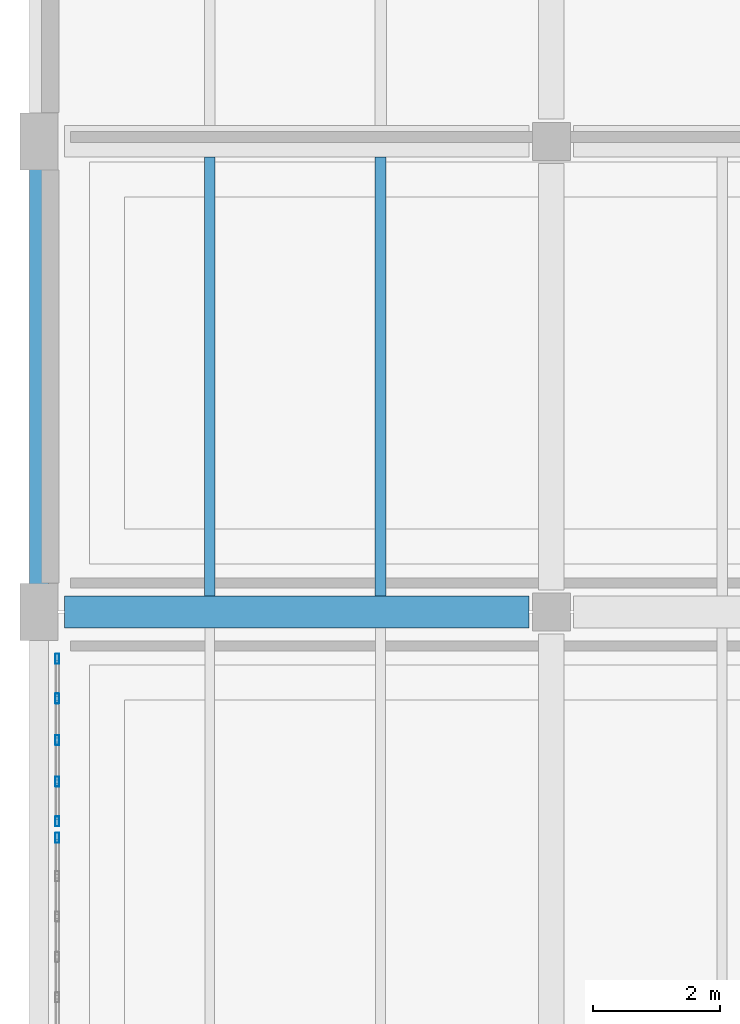
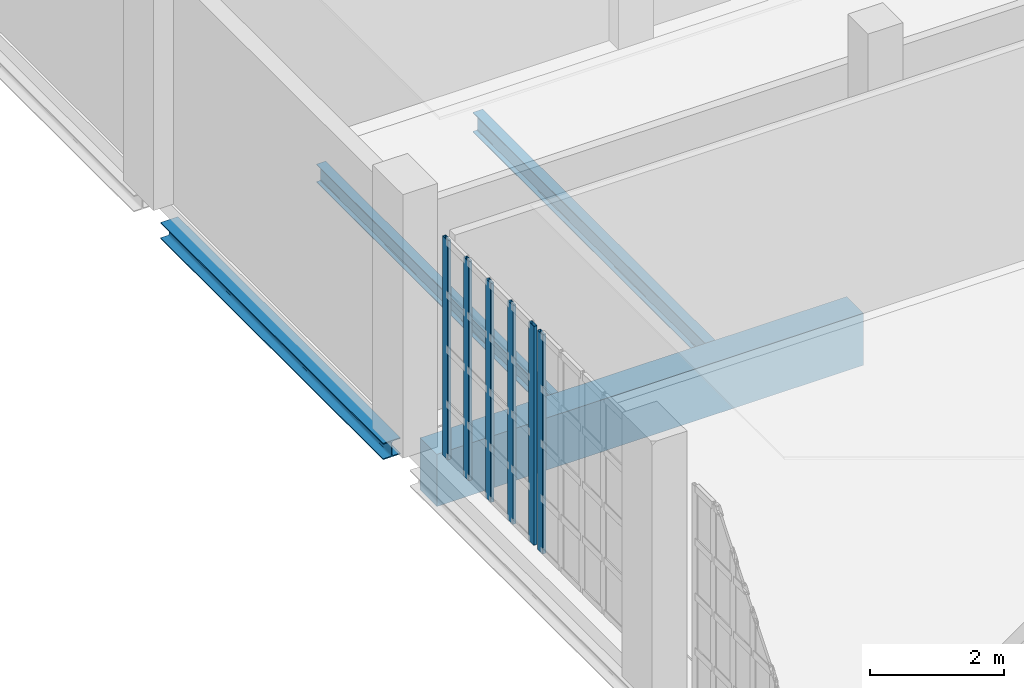
# One storey, part 20 of 104: 6 members, 4 beams, 2 elements without a shape of their own.
"""IFC4 building model written with IfcOpenShell, lengths in metres."""

import ifcopenshell
import ifcopenshell.guid

model = None  # the IFC model being written
_history = None  # IfcOwnerHistory: only IFC2X3 demands one
_inside = {}  # id of a spatial element -> (the spatial element, [elements in it])
_under = {}  # id of a project, library or spatial element -> (it, [spatial elements below it])
_declared = {}  # id of a project -> (the project, [libraries it declares])
_typed = {}  # id of a type object -> (the type object, [elements of that type])
_made_of = {}  # id of a material, layer set ... -> (it, [elements and type objects made of it])


def new_model(schema):
    """Start an empty IFC model of exactly this schema.

    Asked for "IFC4X3", IfcOpenShell would pick the latest addendum, in which some entities
    have other attributes; the version numbers below select the first issue.
    IFC2X3 requires an IfcOwnerHistory on every rooted entity: one is made here for all.
    """
    global model, _history
    if schema == "IFC4X3":
        model = ifcopenshell.file(schema_version=(4, 3, 0, 0))
    else:
        model = ifcopenshell.file(schema=schema)
    _inside.clear()
    _under.clear()
    _declared.clear()
    _typed.clear()
    _made_of.clear()
    _history = None
    if model.schema == "IFC2X3":
        org = make("IfcOrganization", Name="unknown")
        user = make(
            "IfcPersonAndOrganization",
            ThePerson=make("IfcPerson", FamilyName="unknown"),
            TheOrganization=org,
        )
        app = make(
            "IfcApplication",
            ApplicationDeveloper=org,
            Version="unknown",
            ApplicationFullName="unknown",
            ApplicationIdentifier="unknown",
        )
        _history = make(
            "IfcOwnerHistory",
            OwningUser=user,
            OwningApplication=app,
            ChangeAction="ADDED",
            CreationDate=0,
        )
    return model


def make(cls, **values):
    """One entity of the class cls with the attributes given. An attribute that is None is left unset."""
    return model.create_entity(
        cls, **{name: value for name, value in values.items() if value is not None}
    )


def rooted(cls, **values):
    """An entity with a GlobalId (a new one), such as an element, a storey or a relation."""
    return make(cls, GlobalId=ifcopenshell.guid.new(), OwnerHistory=_history, **values)


def si_unit(unit_type, name, prefix=None):
    """IfcSIUnit, for example si_unit("LENGTHUNIT", "METRE", prefix="MILLI")."""
    return make("IfcSIUnit", UnitType=unit_type, Prefix=prefix, Name=name)


def assignment(units):
    """IfcUnitAssignment: the units of a project."""
    return None if units is None else make("IfcUnitAssignment", Units=units)


def point(xyz):
    """IfcCartesianPoint."""
    return None if xyz is None else make("IfcCartesianPoint", Coordinates=xyz)


def direction(xyz):
    """IfcDirection."""
    return None if xyz is None else make("IfcDirection", DirectionRatios=xyz)


def frame(location, z_axis=None, x_axis=None):
    """IfcAxis2Placement3D, a coordinate frame: its origin and axes. An axis left out is left unset."""
    return make(
        "IfcAxis2Placement3D",
        Location=point(location),
        Axis=direction(z_axis),
        RefDirection=direction(x_axis),
    )


def frame_2d(location, x_axis=None):
    """IfcAxis2Placement2D, a coordinate frame in the plane: its origin and x axis."""
    return make(
        "IfcAxis2Placement2D", Location=point(location), RefDirection=direction(x_axis)
    )


def origin():
    """The frame at (0, 0, 0) with its axes left unset."""
    return frame((0.0, 0.0, 0.0))


def origin_2d():
    """The frame at (0, 0) in the plane with its x axis left unset."""
    return frame_2d((0.0, 0.0))


def place(relative_to, where):
    """IfcLocalPlacement: puts the frame where relative to a parent placement (None: the world)."""
    return make(
        "IfcLocalPlacement", PlacementRelTo=relative_to, RelativePlacement=where
    )


def context(
    kind, dimensions, precision=None, world=None, true_north=None, identifier=None
):
    """IfcGeometricRepresentationContext, for example the 3D "Model" context."""
    return make(
        "IfcGeometricRepresentationContext",
        ContextIdentifier=identifier,
        ContextType=kind,
        CoordinateSpaceDimension=dimensions,
        Precision=precision,
        WorldCoordinateSystem=world,
        TrueNorth=true_north,
    )


def subcontext(parent, identifier, kind, view, scale=None):
    """IfcGeometricRepresentationSubContext, for example "Body" below "Model"."""
    return make(
        "IfcGeometricRepresentationSubContext",
        ContextIdentifier=identifier,
        ContextType=kind,
        ParentContext=parent,
        TargetScale=scale,
        TargetView=view,
    )


def project(units=None, contexts=None):
    """IfcProject with its units and contexts."""
    return rooted(
        "IfcProject",
        Name="project",
        RepresentationContexts=contexts,
        UnitsInContext=assignment(units),
    )


def spatial(cls, under=None, at=None, **own):
    """A site, building, storey or space (cls), placed at a placement, below another one or the project."""
    s = rooted(cls, ObjectPlacement=at, **own)
    if under is not None:
        _under.setdefault(under.id(), (under, []))[1].append(s)
    return s


def profile(cls, at=None, kind="AREA", **sizes):
    """A parametric profile (cls). Its sizes go by their IFC names, for example OverallWidth=200.0."""
    return make(cls, ProfileType=kind, Position=at, **sizes)


def rectangle(**sizes):
    """IfcRectangleProfileDef."""
    return profile("IfcRectangleProfileDef", **sizes)


def hollow_rectangle(**sizes):
    """IfcRectangleHollowProfileDef."""
    return profile("IfcRectangleHollowProfileDef", **sizes)


def i_section(**sizes):
    """IfcIShapeProfileDef."""
    return profile("IfcIShapeProfileDef", **sizes)


def extrude(swept, where, along, depth):
    """IfcExtrudedAreaSolid: the profile swept, set in the frame where, extruded along a direction by depth."""
    return make(
        "IfcExtrudedAreaSolid",
        SweptArea=swept,
        Position=where,
        ExtrudedDirection=direction(along),
        Depth=depth,
    )


def shape(context_of_items, identifier, shape_type, items):
    """IfcShapeRepresentation: the items that make up one representation, for example the "Body"."""
    return make(
        "IfcShapeRepresentation",
        ContextOfItems=context_of_items,
        RepresentationIdentifier=identifier,
        RepresentationType=shape_type,
        Items=items,
    )


def material(Name=None, Category=None):
    """IfcMaterial."""
    return make("IfcMaterial", Name=Name, Category=Category)


def material_profile(
    of_material, cross_section, Name=None, Category=None, Priority=None
):
    """IfcMaterialProfile: a cross section and its material."""
    return make(
        "IfcMaterialProfile",
        Name=Name,
        Material=of_material,
        Profile=cross_section,
        Priority=Priority,
        Category=Category,
    )


def profile_set(profiles, Name=None, composite=None):
    """IfcMaterialProfileSet."""
    return make(
        "IfcMaterialProfileSet",
        Name=Name,
        MaterialProfiles=profiles,
        CompositeProfile=composite,
    )


def made_of(thing, what):
    """Note that an element or type object is made of a material, layer set ...; save() writes the relation."""
    if what is not None:
        _made_of.setdefault(what.id(), (what, []))[1].append(thing)
    return thing


def type_object(cls, material=None, **own):
    """A type object (cls), such as IfcWallType, which elements share."""
    return made_of(rooted(cls, **own), material)


def element(
    cls,
    number,
    at=None,
    inside=None,
    cuts=None,
    type_object=None,
    material=None,
    context=None,
    identifier="Body",
    shape_type=None,
    held_by="IfcProductDefinitionShape",
    body=None,
    shapes=None,
    **own,
):
    """One element of the class cls, such as IfcWall. Its Tag is "e" and its number.

    at: its placement. inside: the storey or other place that contains it. cuts: it is an
    opening in that element (IfcRelVoidsElement). A single representation is given by context,
    identifier, shape_type and body (its items); several are given by shapes. held_by: the class
    of the entity that holds the representations. save() writes the other relations.
    """
    e = rooted(cls, Tag="e%d" % number, ObjectPlacement=at, **own)
    if body is not None:
        shapes = [shape(context, identifier, shape_type, body)]
    if shapes is not None:
        e.Representation = make(held_by, Representations=shapes)
    if inside is not None:
        _inside.setdefault(inside.id(), (inside, []))[1].append(e)
    if cuts is not None:
        rooted(
            "IfcRelVoidsElement", RelatingBuildingElement=cuts, RelatedOpeningElement=e
        )
    if type_object is not None:
        _typed.setdefault(type_object.id(), (type_object, []))[1].append(e)
    return made_of(e, material)


def aggregate(whole, parts):
    """IfcRelAggregates: a whole, such as a stair, and the parts it consists of."""
    return rooted("IfcRelAggregates", RelatingObject=whole, RelatedObjects=parts)


def save(model, path):
    """Write the relations noted so far, then the file.

    IfcRelAggregates (storeys below a building ...), IfcRelContainedInSpatialStructure (elements
    in a storey), IfcRelDefinesByType, IfcRelAssociatesMaterial and IfcRelDeclares: one each for
    every whole, place, type object, material and project.
    """
    for whole, parts in _under.values():
        aggregate(whole, parts)
    for where, things in _inside.values():
        rooted(
            "IfcRelContainedInSpatialStructure",
            RelatedElements=things,
            RelatingStructure=where,
        )
    for kind, things in _typed.values():
        rooted("IfcRelDefinesByType", RelatedObjects=things, RelatingType=kind)
    for what, things in _made_of.values():
        rooted("IfcRelAssociatesMaterial", RelatedObjects=things, RelatingMaterial=what)
    for by, libraries in _declared.values():
        rooted("IfcRelDeclares", RelatingContext=by, RelatedDefinitions=libraries)
    model.write(path)


model = new_model("IFC4")

# Units and contexts
model_context = context("Model", 3, precision=1e-05, world=origin(), true_north=direction((0.0, 1.0)))
body_context = subcontext(model_context, "Body", "Model", "MODEL_VIEW")
ifc_project = project(units=[si_unit("LENGTHUNIT", "METRE"), si_unit("AREAUNIT", "SQUARE_METRE"), si_unit("VOLUMEUNIT", "CUBIC_METRE"), si_unit("PLANEANGLEUNIT", "RADIAN"), si_unit("MASSUNIT", "GRAM", prefix="KILO")], contexts=[model_context])

# Site, building, storey
site_placement = place(None, origin())
site = spatial("IfcSite", under=ifc_project, at=site_placement, CompositionType="ELEMENT")
building_placement = place(site_placement, origin())
building = spatial("IfcBuilding", under=site, at=building_placement, Name="Kaelora Sail Theatre", CompositionType="ELEMENT")
storey_placement = place(building_placement, frame((0.0, 0.0, 5.39990234375)))
storey = spatial("IfcBuildingStorey", under=building, at=storey_placement, Name="L01", CompositionType="ELEMENT", Elevation=5.39990234375)

# Curtain wall, member
ifc_material_1 = material(Name="Anodised aluminium and solar-control low-E IGU", Category="aluminium")
curtain_wall_type = type_object("IfcCurtainWallType", Name="ARC-CW-CW-PROW", PredefinedType="NOTDEFINED", material=ifc_material_1)
curtain_wall_1_placement = place(storey_placement, origin())
curtain_wall_1 = element("IfcCurtainWall", 1, at=curtain_wall_1_placement, inside=storey, type_object=curtain_wall_type, Name="Glazed Colonnade/Courtyard Curtain Wall FW1-W-L01-03", PredefinedType="NOTDEFINED")
ifc_material_2 = material(Name="Anodised aluminium 6063-T6", Category="aluminium")
ifc_material_profile_1 = material_profile(ifc_material_2, hollow_rectangle(XDim=0.06005859375, YDim=0.159912109375, WallThickness=0.00390625, InnerFilletRadius=0.00390625, OuterFilletRadius=0.008056640625, at=origin_2d()), Name="ALU-MULL 60x160x4")
ifc_profile_set_1 = profile_set([ifc_material_profile_1], Name="Anodised aluminium 6063-T6")
member_type = type_object("IfcMemberType", Name="ARC-MEM-ML-160", PredefinedType="MULLION", material=ifc_profile_set_1)
member_1_placement = place(storey_placement, frame((1.7900390625, 79.77001953125, 0.0), z_axis=(0.0, 0.0, 1.0), x_axis=(-1.0, 0.0, 0.0)))
member_1 = element("IfcMember", 2, at=member_1_placement, type_object=member_type, Name="CW-PROW mullion 6", PredefinedType="MULLION", context=body_context, shape_type="SweptSolid", body=[
    extrude(hollow_rectangle(XDim=0.06005859375, YDim=0.159912109375, WallThickness=0.00390625, InnerFilletRadius=0.00390625, OuterFilletRadius=0.008056640625, at=origin_2d()), origin(), (0.0, 0.0, 1.0), 3.987060546875),
])
aggregate(curtain_wall_1, [member_1])

# Curtain wall, members
curtain_wall_2_placement = place(storey_placement, origin())
curtain_wall_2 = element("IfcCurtainWall", 3, at=curtain_wall_2_placement, inside=storey, type_object=curtain_wall_type, Name="Glazed Colonnade/Courtyard Curtain Wall FW1-W-L01-04", PredefinedType="NOTDEFINED")
member_2_placement = place(storey_placement, frame((1.7900390625, 80.030029296875, 0.0), z_axis=(0.0, 0.0, 1.0), x_axis=(-1.0, 0.0, 0.0)))
member_2 = element("IfcMember", 4, at=member_2_placement, type_object=member_type, Name="CW-PROW mullion 1", PredefinedType="MULLION", context=body_context, shape_type="SweptSolid", body=[
    extrude(hollow_rectangle(XDim=0.06005859375, YDim=0.159912109375, WallThickness=0.00390625, InnerFilletRadius=0.00390625, OuterFilletRadius=0.008056640625, at=origin_2d()), origin(), (0.0, 0.0, 1.0), 3.987060546875),
])
member_3_placement = place(storey_placement, frame((1.7900390625, 80.657470703125, 0.0), z_axis=(0.0, 0.0, 1.0), x_axis=(-1.0, 0.0, 0.0)))
member_3 = element("IfcMember", 5, at=member_3_placement, type_object=member_type, Name="CW-PROW mullion 2", PredefinedType="MULLION", context=body_context, shape_type="SweptSolid", body=[
    extrude(hollow_rectangle(XDim=0.06005859375, YDim=0.159912109375, WallThickness=0.00390625, InnerFilletRadius=0.00390625, OuterFilletRadius=0.008056640625, at=origin_2d()), origin(), (0.0, 0.0, 1.0), 3.987060546875),
])
member_4_placement = place(storey_placement, frame((1.7900390625, 81.31494140625, 0.0), z_axis=(0.0, 0.0, 1.0), x_axis=(-1.0, 0.0, 0.0)))
member_4 = element("IfcMember", 6, at=member_4_placement, type_object=member_type, Name="CW-PROW mullion 3", PredefinedType="MULLION", context=body_context, shape_type="SweptSolid", body=[
    extrude(hollow_rectangle(XDim=0.06005859375, YDim=0.159912109375, WallThickness=0.00390625, InnerFilletRadius=0.00390625, OuterFilletRadius=0.008056640625, at=origin_2d()), origin(), (0.0, 0.0, 1.0), 3.987060546875),
])
member_5_placement = place(storey_placement, frame((1.7900390625, 81.972412109375, 0.0), z_axis=(0.0, 0.0, 1.0), x_axis=(-1.0, 0.0, 0.0)))
member_5 = element("IfcMember", 7, at=member_5_placement, type_object=member_type, Name="CW-PROW mullion 4", PredefinedType="MULLION", context=body_context, shape_type="SweptSolid", body=[
    extrude(hollow_rectangle(XDim=0.06005859375, YDim=0.159912109375, WallThickness=0.00390625, InnerFilletRadius=0.00390625, OuterFilletRadius=0.008056640625, at=origin_2d()), origin(), (0.0, 0.0, 1.0), 3.987060546875),
])
member_6_placement = place(storey_placement, frame((1.7900390625, 82.60009765625, 0.0), z_axis=(0.0, 0.0, 1.0), x_axis=(-1.0, 0.0, 0.0)))
member_6 = element("IfcMember", 8, at=member_6_placement, type_object=member_type, Name="CW-PROW mullion 5", PredefinedType="MULLION", context=body_context, shape_type="SweptSolid", body=[
    extrude(hollow_rectangle(XDim=0.06005859375, YDim=0.159912109375, WallThickness=0.00390625, InnerFilletRadius=0.00390625, OuterFilletRadius=0.008056640625, at=origin_2d()), origin(), (0.0, 0.0, 1.0), 3.987060546875),
])
aggregate(curtain_wall_2, [member_2, member_3, member_4, member_5, member_6])

# Beams
ifc_material_3 = material(Name="Concrete C45/55", Category="concrete")
ifc_material_profile_2 = material_profile(ifc_material_3, rectangle(XDim=0.5, YDim=0.949951171875, at=origin_2d()), Name="RC-GRD 500x950")
ifc_profile_set_2 = profile_set([ifc_material_profile_2], Name="Concrete C45/55")
beam_type_1 = type_object("IfcBeamType", Name="STR-BM-GR-RC5095", PredefinedType="T_BEAM", material=ifc_profile_set_2)
beam_1_placement = place(storey_placement, frame((1.89990234375, 83.340087890625, -0.77001953125), z_axis=(1.0, 0.0, 0.0), x_axis=(0.0, 1.0, 0.0)))
element("IfcBeam", 9, at=beam_1_placement, inside=storey, type_object=beam_type_1, Name="Primary beam L 1-2 (L01)", PredefinedType="T_BEAM", context=body_context, shape_type="SweptSolid", body=[
    extrude(rectangle(XDim=0.5, YDim=0.949951171875, at=origin_2d()), origin(), (0.0, 0.0, 1.0), 7.35009765625),
])
ifc_material_4 = material(Name="Steel S355", Category="steel")
ifc_material_profile_3 = material_profile(ifc_material_4, i_section(OverallWidth=0.159912109375, OverallDepth=0.330078125, WebThickness=0.007568359375, FlangeThickness=0.011474609375, FilletRadius=0.01806640625, at=origin_2d()), Name="IPE 330")
ifc_profile_set_3 = profile_set([ifc_material_profile_3], Name="Steel S355")
beam_type_2 = type_object("IfcBeamType", Name="STR-BM-JS-IPE330", PredefinedType="JOIST", material=ifc_profile_set_3)
beam_2_placement = place(storey_placement, frame((4.199951171875, 83.590087890625, -0.4599609375), z_axis=(0.0, 1.0, 0.0), x_axis=(-1.0, 0.0, 0.0)))
element("IfcBeam", 10, at=beam_2_placement, inside=storey, type_object=beam_type_2, Name="Secondary floor joist 1/L-1 (L01)", PredefinedType="JOIST", context=body_context, shape_type="SweptSolid", body=[
    extrude(i_section(OverallWidth=0.159912109375, OverallDepth=0.330078125, WebThickness=0.007568359375, FlangeThickness=0.011474609375, FilletRadius=0.01806640625, at=origin_2d()), origin(), (0.0, 0.0, 1.0), 6.93994140625),
])
ifc_material_5 = material(Name="Steel S355", Category="steel")
ifc_material_profile_4 = material_profile(ifc_material_5, i_section(OverallWidth=0.169921875, OverallDepth=0.360107421875, WebThickness=0.008056640625, FlangeThickness=0.0126953125, FilletRadius=0.01806640625, at=origin_2d()), Name="IPE 360")
ifc_profile_set_4 = profile_set([ifc_material_profile_4], Name="Steel S355")
beam_type_3 = type_object("IfcBeamType", Name="STR-BM-JS-IPE360", PredefinedType="JOIST", material=ifc_profile_set_4)
beam_3_placement = place(storey_placement, frame((6.89990234375, 83.590087890625, -0.474853515625), z_axis=(0.0, 1.0, 0.0), x_axis=(-1.0, 0.0, 0.0)))
element("IfcBeam", 11, at=beam_3_placement, inside=storey, type_object=beam_type_3, Name="Secondary floor joist 1/L-2 (L01)", PredefinedType="JOIST", context=body_context, shape_type="SweptSolid", body=[
    extrude(i_section(OverallWidth=0.169921875, OverallDepth=0.360107421875, WebThickness=0.008056640625, FlangeThickness=0.0126953125, FilletRadius=0.01806640625, at=origin_2d()), origin(), (0.0, 0.0, 1.0), 6.93994140625),
])
ifc_material_6 = material(Name="Steel S355", Category="steel")
ifc_material_profile_5 = material_profile(ifc_material_6, i_section(OverallWidth=0.300048828125, OverallDepth=0.300048828125, WebThickness=0.010986328125, FlangeThickness=0.01904296875, FilletRadius=0.027099609375, at=origin_2d()), Name="HEB 300")
ifc_profile_set_5 = profile_set([ifc_material_profile_5], Name="Steel S355")
beam_type_4 = type_object("IfcBeamType", Name="STR-BM-SP-HEB300", PredefinedType="SPANDREL", material=ifc_profile_set_5)
beam_4_placement = place(storey_placement, frame((1.5, 83.739990234375, -0.44482421875), z_axis=(0.0, 1.0, 0.0), x_axis=(-1.0, 0.0, 0.0)))
element("IfcBeam", 12, at=beam_4_placement, inside=storey, type_object=beam_type_4, Name="Primary beam 1 L-M (L01)", PredefinedType="SPANDREL", context=body_context, shape_type="SweptSolid", body=[
    extrude(i_section(OverallWidth=0.300048828125, OverallDepth=0.300048828125, WebThickness=0.010986328125, FlangeThickness=0.01904296875, FilletRadius=0.027099609375, at=origin_2d()), origin(), (0.0, 0.0, 1.0), 6.639892578125),
])

save(model, "model.ifc")
